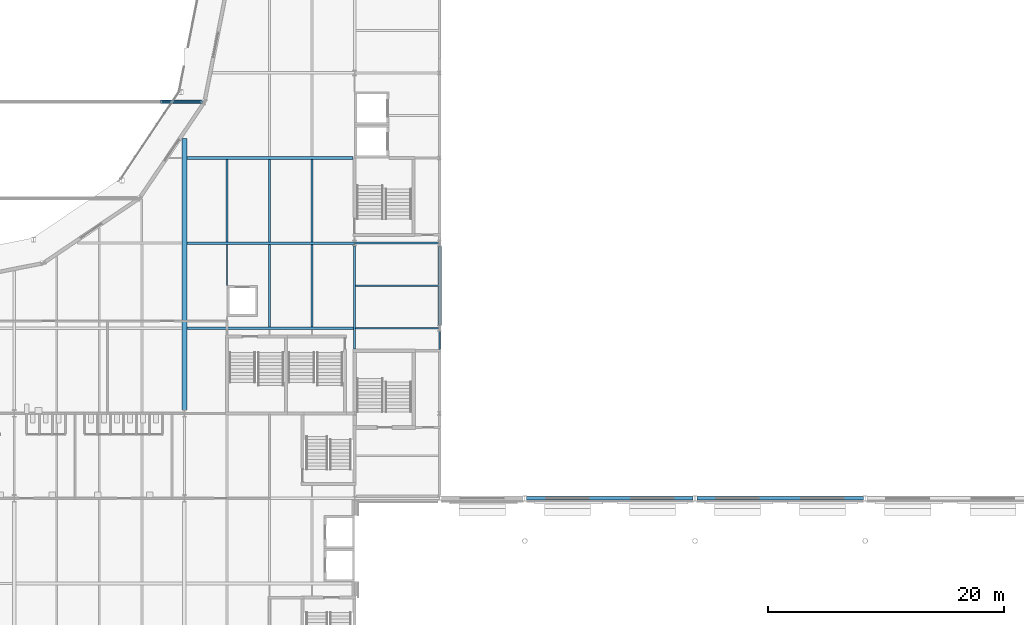
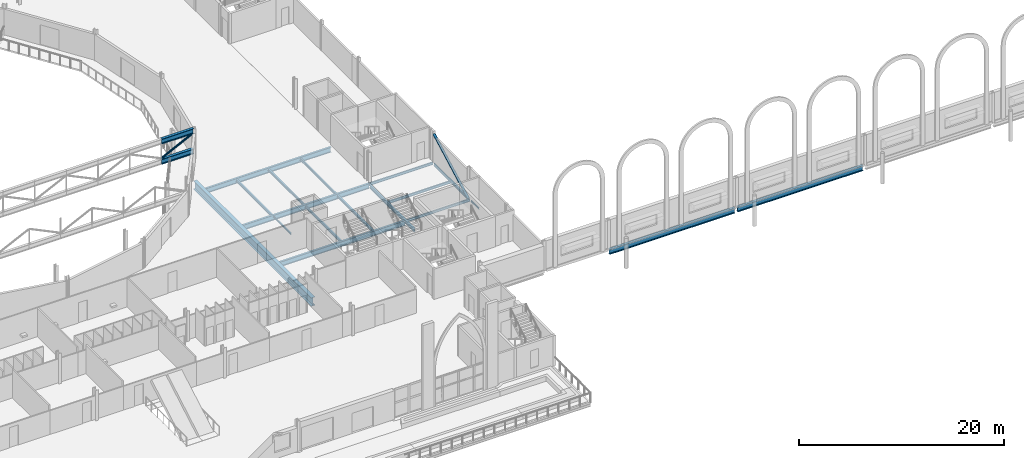
# One storey, part 44 of 143: 18 beams, 4 members.
"""IFC4 building model written with IfcOpenShell, lengths in metres."""

from ifc_helpers import new_model, si_unit, direction, frame, origin, origin_2d, place, context, subcontext, project, spatial, hollow_circle, i_section, extrude, material, material_profile, profile_set, type_object, element, save


model = new_model("IFC4")

# Units and contexts
model_context = context("Model", 3, precision=1e-05, world=origin(), true_north=direction((0.0, 1.0)))
body_context = subcontext(model_context, "Body", "Model", "MODEL_VIEW")
ifc_project = project(units=[si_unit("LENGTHUNIT", "METRE"), si_unit("AREAUNIT", "SQUARE_METRE"), si_unit("VOLUMEUNIT", "CUBIC_METRE"), si_unit("PLANEANGLEUNIT", "RADIAN"), si_unit("MASSUNIT", "GRAM", prefix="KILO")], contexts=[model_context])

# Site, building, storey
site_placement = place(None, origin())
site = spatial("IfcSite", under=ifc_project, at=site_placement, CompositionType="ELEMENT")
building_placement = place(site_placement, origin())
building = spatial("IfcBuilding", under=site, at=building_placement, Name="Kupolbacken Congress Centre", CompositionType="ELEMENT")
storey_placement = place(building_placement, frame((0.0, 0.0, 7.199951171875)))
storey = spatial("IfcBuildingStorey", under=building, at=storey_placement, Name="L02", CompositionType="ELEMENT", Elevation=7.199951171875)

# Beams
ifc_material_1 = material(Name="Steel S355", Category="steel")
ifc_material_profile_1 = material_profile(ifc_material_1, i_section(OverallWidth=0.10009765625, OverallDepth=0.199951171875, WebThickness=0.005615234375, FlangeThickness=0.008544921875, FilletRadius=0.011962890625, at=origin_2d()), Name="IPE 200")
ifc_profile_set_1 = profile_set([ifc_material_profile_1], Name="Steel S355")
beam_type_1 = type_object("IfcBeamType", Name="B01 beam IPE 200", PredefinedType="BEAM", material=ifc_profile_set_1)
beam_1_placement = place(storey_placement, frame((68.39990234375, 61.199951171875, -0.280029296875), z_axis=(0.0, 1.0, 0.0), x_axis=(-1.0, 0.0, 0.0)))
element("IfcBeam", 1, at=beam_1_placement, inside=storey, type_object=beam_type_1, Name="S/floor/P/L02/S167", PredefinedType="BEAM", context=body_context, shape_type="SweptSolid", body=[
    extrude(i_section(OverallWidth=0.10009765625, OverallDepth=0.199951171875, WebThickness=0.005615234375, FlangeThickness=0.008544921875, FilletRadius=0.011962890625, at=origin_2d()), origin(), (0.0, 0.0, 1.0), 3.489990234375),
])
beam_2_placement = place(storey_placement, frame((86.39990234375, 55.800048828125, -0.280029296875), z_axis=(0.0, 1.0, 0.0), x_axis=(-1.0, 0.0, 0.0)))
element("IfcBeam", 2, at=beam_2_placement, inside=storey, type_object=beam_type_1, Name="S/floor/LINK/L02/E002", PredefinedType="BEAM", context=body_context, shape_type="SweptSolid", body=[
    extrude(i_section(OverallWidth=0.10009765625, OverallDepth=0.199951171875, WebThickness=0.005615234375, FlangeThickness=0.008544921875, FilletRadius=0.011962890625, at=origin_2d()), origin(), (0.0, 0.0, 1.0), 1.554931640625),
])
ifc_material_2 = material(Name="Steel S355", Category="steel")
ifc_material_profile_2 = material_profile(ifc_material_2, i_section(OverallWidth=0.14990234375, OverallDepth=0.300048828125, WebThickness=0.007080078125, FlangeThickness=0.0107421875, FilletRadius=0.014892578125, at=origin_2d()), Name="IPE 300")
ifc_profile_set_2 = profile_set([ifc_material_profile_2], Name="Steel S355")
beam_type_2 = type_object("IfcBeamType", Name="B04 beam IPE 300", PredefinedType="BEAM", material=ifc_profile_set_2)
for number, where, z_axis, x_axis, name in (
    (3, (72.0, 57.7099609375, -0.329833984375), (0.0, 1.0, 0.0), (-1.0, 0.0, 0.0), "S/floor/P/L02/S141"),
    (4, (72.0, 64.909912109375, -0.329833984375), (0.0, 1.0, 0.0), (-1.0, 0.0, 0.0), "S/floor/P/L02/S142"),
    (5, (75.60009765625, 57.7099609375, -0.329833984375), (0.0, 1.0, 0.0), (-1.0, 0.0, 0.0), "S/floor/P/L02/S152"),
    (6, (75.60009765625, 64.909912109375, -0.329833984375), (0.0, 1.0, 0.0), (-1.0, 0.0, 0.0), "S/floor/P/L02/S153"),
    (7, (68.39990234375, 64.909912109375, -0.329833984375), (0.0, 1.0, 0.0), (-1.0, 0.0, 0.0), "S/floor/P/L02/S168"),
):
    element("IfcBeam", number, at=place(storey_placement, frame(where, z_axis=z_axis, x_axis=x_axis)), inside=storey, type_object=beam_type_2, Name=name, PredefinedType="BEAM", context=body_context, shape_type="SweptSolid", body=[
        extrude(i_section(OverallWidth=0.14990234375, OverallDepth=0.300048828125, WebThickness=0.007080078125, FlangeThickness=0.0107421875, FilletRadius=0.014892578125, at=origin_2d()), origin(), (0.0, 0.0, 1.0), 6.97998046875),
    ])
beam_3_placement = place(storey_placement, frame((86.39990234375, 57.844970703125, -0.329833984375), z_axis=(0.0, 1.0, 0.0), x_axis=(-1.0, 0.0, 0.0)))
element("IfcBeam", 8, at=beam_3_placement, inside=storey, type_object=beam_type_2, Name="S/floor/LINK/L02/E003", PredefinedType="BEAM", context=body_context, shape_type="SweptSolid", body=[
    extrude(i_section(OverallWidth=0.14990234375, OverallDepth=0.300048828125, WebThickness=0.007080078125, FlangeThickness=0.0107421875, FilletRadius=0.014892578125, at=origin_2d()), origin(), (0.0, 0.0, 1.0), 6.7099609375),
])
beam_4_placement = place(storey_placement, frame((79.2900390625, 57.60009765625, -0.329833984375), z_axis=(1.0, 0.0, 0.0), x_axis=(0.0, 1.0, 0.0)))
element("IfcBeam", 9, at=beam_4_placement, inside=storey, type_object=beam_type_2, Name="S/floor/LINK/L02/R012", PredefinedType="BEAM", context=body_context, shape_type="SweptSolid", body=[
    extrude(i_section(OverallWidth=0.14990234375, OverallDepth=0.300048828125, WebThickness=0.007080078125, FlangeThickness=0.0107421875, FilletRadius=0.014892578125, at=origin_2d()), origin(), (0.0, 0.0, 1.0), 7.10400390625),
])
beam_5_placement = place(storey_placement, frame((79.2900390625, 61.199951171875, -0.329833984375), z_axis=(1.0, 0.0, 0.0), x_axis=(0.0, 1.0, 0.0)))
element("IfcBeam", 10, at=beam_5_placement, inside=storey, type_object=beam_type_2, Name="S/floor/LINK/L02/R013", PredefinedType="BEAM", context=body_context, shape_type="SweptSolid", body=[
    extrude(i_section(OverallWidth=0.14990234375, OverallDepth=0.300048828125, WebThickness=0.007080078125, FlangeThickness=0.0107421875, FilletRadius=0.014892578125, at=origin_2d()), origin(), (0.0, 0.0, 1.0), 7.034912109375),
])
beam_6_placement = place(storey_placement, frame((79.20703125, 64.800048828125, -0.329833984375), z_axis=(1.0, 0.0, 0.0), x_axis=(0.0, 1.0, 0.0)))
element("IfcBeam", 11, at=beam_6_placement, inside=storey, type_object=beam_type_2, Name="S/floor/LINK/L02/R014", PredefinedType="BEAM", context=body_context, shape_type="SweptSolid", body=[
    extrude(i_section(OverallWidth=0.14990234375, OverallDepth=0.300048828125, WebThickness=0.007080078125, FlangeThickness=0.0107421875, FilletRadius=0.014892578125, at=origin_2d()), origin(), (0.0, 0.0, 1.0), 7.18701171875),
])
ifc_material_3 = material(Name="Steel S355", Category="steel")
ifc_material_profile_3 = material_profile(ifc_material_3, i_section(OverallWidth=0.179931640625, OverallDepth=0.39990234375, WebThickness=0.008544921875, FlangeThickness=0.013427734375, FilletRadius=0.02099609375, at=origin_2d()), Name="IPE 400")
ifc_profile_set_3 = profile_set([ifc_material_profile_3], Name="Steel S355")
beam_type_3 = type_object("IfcBeamType", Name="B07 beam IPE 400", PredefinedType="BEAM", material=ifc_profile_set_3)
beam_7_placement = place(storey_placement, frame((79.199951171875, 55.85009765625, -0.3798828125), z_axis=(0.0, 1.0, 0.0), x_axis=(-1.0, 0.0, 0.0)))
element("IfcBeam", 12, at=beam_7_placement, inside=storey, type_object=beam_type_3, Name="S/floor/P/L02/G032", PredefinedType="BEAM", context=body_context, shape_type="SweptSolid", body=[
    extrude(i_section(OverallWidth=0.179931640625, OverallDepth=0.39990234375, WebThickness=0.008544921875, FlangeThickness=0.013427734375, FilletRadius=0.02099609375, at=origin_2d()), origin(), (0.0, 0.0, 1.0), 8.724853515625),
])
ifc_material_4 = material(Name="Steel S355", Category="steel")
ifc_material_profile_4 = material_profile(ifc_material_4, i_section(OverallWidth=0.219970703125, OverallDepth=0.60009765625, WebThickness=0.011962890625, FlangeThickness=0.01904296875, FilletRadius=0.02392578125, at=origin_2d()), Name="IPE 600")
ifc_profile_set_4 = profile_set([ifc_material_profile_4], Name="Steel S355")
beam_type_4 = type_object("IfcBeamType", Name="B11 beam IPE 600", PredefinedType="BEAM", material=ifc_profile_set_4)
beam_8_placement = place(storey_placement, frame((65.0, 57.60009765625, -0.47998046875), z_axis=(1.0, 0.0, 0.0), x_axis=(0.0, 1.0, 0.0)))
element("IfcBeam", 13, at=beam_8_placement, inside=storey, type_object=beam_type_4, Name="S/floor/P/L02/R042", PredefinedType="BEAM", context=body_context, shape_type="SweptSolid", body=[
    extrude(i_section(OverallWidth=0.219970703125, OverallDepth=0.60009765625, WebThickness=0.011962890625, FlangeThickness=0.01904296875, FilletRadius=0.02392578125, at=origin_2d()), origin(), (0.0, 0.0, 1.0), 14.110107421875),
])
beam_9_placement = place(storey_placement, frame((65.0, 64.800048828125, -0.47998046875), z_axis=(1.0, 0.0, 0.0), x_axis=(0.0, 1.0, 0.0)))
element("IfcBeam", 14, at=beam_9_placement, inside=storey, type_object=beam_type_4, Name="S/floor/P/L02/R046", PredefinedType="BEAM", context=body_context, shape_type="SweptSolid", body=[
    extrude(i_section(OverallWidth=0.219970703125, OverallDepth=0.60009765625, WebThickness=0.011962890625, FlangeThickness=0.01904296875, FilletRadius=0.02392578125, at=origin_2d()), origin(), (0.0, 0.0, 1.0), 14.193115234375),
])
beam_10_placement = place(storey_placement, frame((65.0, 72.0, -0.47998046875), z_axis=(1.0, 0.0, 0.0), x_axis=(0.0, 1.0, 0.0)))
element("IfcBeam", 15, at=beam_10_placement, inside=storey, type_object=beam_type_4, Name="S/floor/P/L02/R050", PredefinedType="BEAM", context=body_context, shape_type="SweptSolid", body=[
    extrude(i_section(OverallWidth=0.219970703125, OverallDepth=0.60009765625, WebThickness=0.011962890625, FlangeThickness=0.01904296875, FilletRadius=0.02392578125, at=origin_2d()), origin(), (0.0, 0.0, 1.0), 14.074951171875),
])
ifc_material_5 = material(Name="Steel S355", Category="steel")
ifc_material_profile_5 = material_profile(ifc_material_5, i_section(OverallWidth=0.300048828125, OverallDepth=0.60009765625, WebThickness=0.015380859375, FlangeThickness=0.030029296875, FilletRadius=0.027099609375, at=origin_2d()), Name="HEB 600")
ifc_profile_set_5 = profile_set([ifc_material_profile_5], Name="Steel S355")
beam_type_5 = type_object("IfcBeamType", Name="B15 beam HEB 600", PredefinedType="BEAM", material=ifc_profile_set_5)
for number, where, z_axis, x_axis, name in (
    (16, (93.75, 43.199951171875, -0.300048828125), (1.0, 0.0, 0.0), (0.0, 1.0, 0.0), "Edge girder"),
    (17, (108.14990234375, 43.199951171875, -0.300048828125), (1.0, 0.0, 0.0), (0.0, 1.0, 0.0), "Edge girder"),
):
    element("IfcBeam", number, at=place(storey_placement, frame(where, z_axis=z_axis, x_axis=x_axis)), inside=storey, type_object=beam_type_5, Name=name, PredefinedType="BEAM", context=body_context, shape_type="SweptSolid", body=[
        extrude(i_section(OverallWidth=0.300048828125, OverallDepth=0.60009765625, WebThickness=0.015380859375, FlangeThickness=0.030029296875, FilletRadius=0.027099609375, at=origin_2d()), origin(), (0.0, 0.0, 1.0), 14.10009765625),
    ])
ifc_material_6 = material(Name="Steel S355", Category="steel")
ifc_material_profile_6 = material_profile(ifc_material_6, i_section(OverallWidth=0.39990234375, OverallDepth=1.0, WebThickness=0.02197265625, FlangeThickness=0.044921875, at=origin_2d()), Name="PG 1000 x 400")
ifc_profile_set_6 = profile_set([ifc_material_profile_6], Name="Steel S355")
beam_type_6 = type_object("IfcBeamType", Name="B23 beam PG 1000 x 400", PredefinedType="BEAM", material=ifc_profile_set_6)
beam_11_placement = place(storey_placement, frame((64.800048828125, 50.699951171875, -0.679931640625), z_axis=(0.0, 1.0, 0.0), x_axis=(-1.0, 0.0, 0.0)))
element("IfcBeam", 18, at=beam_11_placement, inside=storey, type_object=beam_type_6, Name="S/floor/P/L02/G029", PredefinedType="BEAM", context=body_context, shape_type="SweptSolid", body=[
    extrude(i_section(OverallWidth=0.39990234375, OverallDepth=1.0, WebThickness=0.02197265625, FlangeThickness=0.044921875, at=origin_2d()), origin(), (0.0, 0.0, 1.0), 22.966552734375),
])

# Members
ifc_material_7 = material(Name="Steel S355", Category="steel")
ifc_material_profile_7 = material_profile(ifc_material_7, i_section(OverallWidth=0.300048828125, OverallDepth=0.60009765625, WebThickness=0.015380859375, FlangeThickness=0.030029296875, FilletRadius=0.027099609375, at=origin_2d()), Name="HEB 600")
ifc_profile_set_7 = profile_set([ifc_material_profile_7], Name="Steel S355")
member_type_1 = type_object("IfcMemberType", Name="M02 transfer truss chord HEB 600", PredefinedType="CHORD", material=ifc_profile_set_7)
for number, where, z_axis, x_axis, name in (
    (19, (62.781494140625, 76.75634765625, 0.916259765625), (1.0, 0.0, 0.0), (0.0, 1.0, 0.0), "PD/L02/balc/trussF/BC13"),
    (20, (62.781494140625, 76.75634765625, 3.31640625), (1.0, 0.0, 0.0), (0.0, 1.0, 0.0), "PD/L02/balc/trussF/TC13"),
):
    element("IfcMember", number, at=place(storey_placement, frame(where, z_axis=z_axis, x_axis=x_axis)), inside=storey, type_object=member_type_1, Name=name, PredefinedType="CHORD", context=body_context, shape_type="SweptSolid", body=[
        extrude(i_section(OverallWidth=0.300048828125, OverallDepth=0.60009765625, WebThickness=0.015380859375, FlangeThickness=0.030029296875, FilletRadius=0.027099609375, at=origin_2d()), origin(), (0.0, 0.0, 1.0), 3.560302734375),
    ])
ifc_material_8 = material(Name="Steel S355", Category="steel")
ifc_material_profile_8 = material_profile(ifc_material_8, hollow_circle(Radius=0.109619140625, WallThickness=0.010009765625, at=origin_2d()), Name="CHS 219.1 x 10")
ifc_profile_set_8 = profile_set([ifc_material_profile_8], Name="Steel S355")
member_type_2 = type_object("IfcMemberType", Name="M05 transfer truss web CHS 219.1 x 10", PredefinedType="BRACE", material=ifc_profile_set_8)
member_1_placement = place(storey_placement, frame((62.86572265625, 76.75634765625, 1.302490234375), z_axis=(0.897256651909, 0.0, 0.441509343736), x_axis=(0.0, 1.0, 0.0)))
element("IfcMember", 21, at=member_1_placement, inside=storey, type_object=member_type_2, Name="PD/L02/balc/trussF/D13", PredefinedType="BRACE", context=body_context, shape_type="SweptSolid", body=[
    extrude(hollow_circle(Radius=0.109619140625, WallThickness=0.010009765625, at=origin_2d()), origin(), (0.0, 0.0, 1.0), 3.6865234375),
])
ifc_material_9 = material(Name="Steel S355", Category="steel")
ifc_material_profile_9 = material_profile(ifc_material_9, hollow_circle(Radius=0.136474609375, WallThickness=0.012451171875, at=origin_2d()), Name="CHS 273 x 12.5")
ifc_profile_set_9 = profile_set([ifc_material_profile_9], Name="Steel S355")
member_type_3 = type_object("IfcMemberType", Name="M08 brace CHS 273 x 12.5", PredefinedType="BRACE", material=ifc_profile_set_9)
member_2_placement = place(storey_placement, frame((86.39990234375, 57.844970703125, -0.329833984375), z_axis=(0.0, 0.881193823646, 0.472755164083), x_axis=(-1.0, 0.0, 0.0)))
element("IfcMember", 22, at=member_2_placement, inside=storey, type_object=member_type_3, Name="S/brace/W/03/03", PredefinedType="BRACE", context=body_context, shape_type="SweptSolid", body=[
    extrude(hollow_circle(Radius=0.136474609375, WallThickness=0.012451171875, at=origin_2d()), origin(), (0.0, 0.0, 1.0), 7.61474609375),
])

save(model, "model.ifc")
